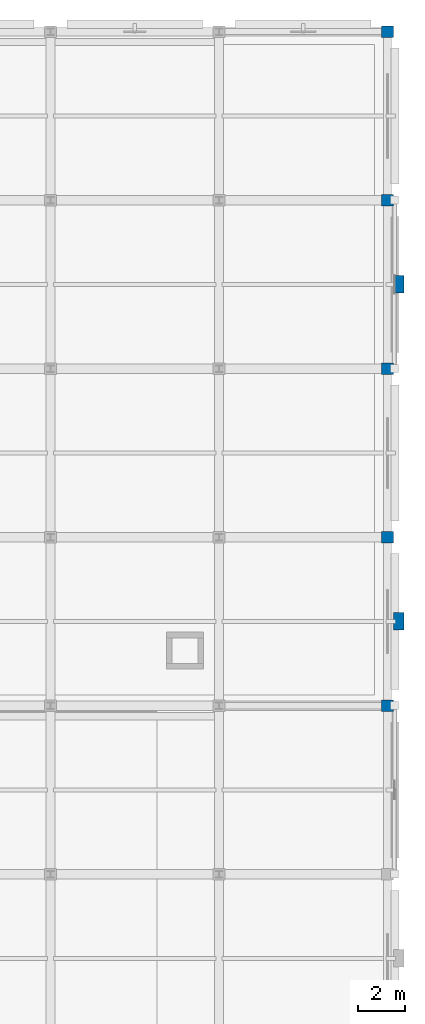
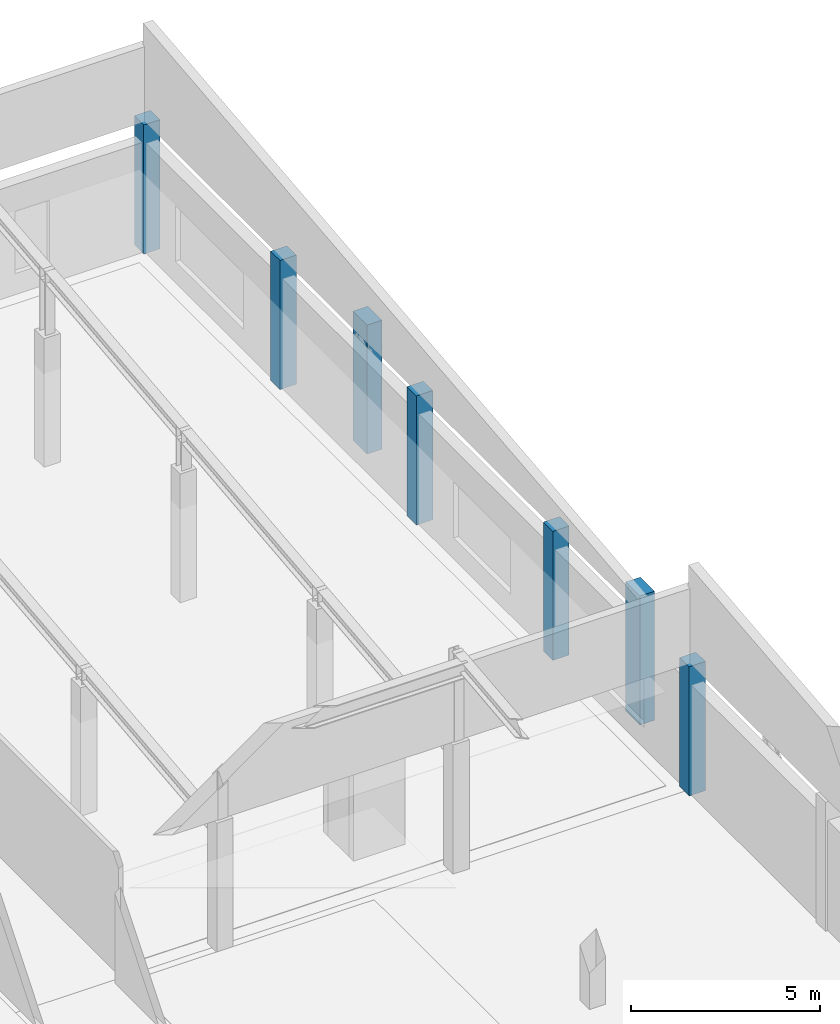
# One storey, part 5 of 33: 7 columns.
"""IFC4 building model written with IfcOpenShell, lengths in metres."""

import ifcopenshell
import ifcopenshell.guid

model = None  # the IFC model being written
_history = None  # IfcOwnerHistory: only IFC2X3 demands one
_inside = {}  # id of a spatial element -> (the spatial element, [elements in it])
_under = {}  # id of a project, library or spatial element -> (it, [spatial elements below it])
_declared = {}  # id of a project -> (the project, [libraries it declares])
_typed = {}  # id of a type object -> (the type object, [elements of that type])
_made_of = {}  # id of a material, layer set ... -> (it, [elements and type objects made of it])


def new_model(schema):
    """Start an empty IFC model of exactly this schema.

    Asked for "IFC4X3", IfcOpenShell would pick the latest addendum, in which some entities
    have other attributes; the version numbers below select the first issue.
    IFC2X3 requires an IfcOwnerHistory on every rooted entity: one is made here for all.
    """
    global model, _history
    if schema == "IFC4X3":
        model = ifcopenshell.file(schema_version=(4, 3, 0, 0))
    else:
        model = ifcopenshell.file(schema=schema)
    _inside.clear()
    _under.clear()
    _declared.clear()
    _typed.clear()
    _made_of.clear()
    _history = None
    if model.schema == "IFC2X3":
        org = make("IfcOrganization", Name="unknown")
        user = make(
            "IfcPersonAndOrganization",
            ThePerson=make("IfcPerson", FamilyName="unknown"),
            TheOrganization=org,
        )
        app = make(
            "IfcApplication",
            ApplicationDeveloper=org,
            Version="unknown",
            ApplicationFullName="unknown",
            ApplicationIdentifier="unknown",
        )
        _history = make(
            "IfcOwnerHistory",
            OwningUser=user,
            OwningApplication=app,
            ChangeAction="ADDED",
            CreationDate=0,
        )
    return model


def make(cls, **values):
    """One entity of the class cls with the attributes given. An attribute that is None is left unset."""
    return model.create_entity(
        cls, **{name: value for name, value in values.items() if value is not None}
    )


def rooted(cls, **values):
    """An entity with a GlobalId (a new one), such as an element, a storey or a relation."""
    return make(cls, GlobalId=ifcopenshell.guid.new(), OwnerHistory=_history, **values)


def si_unit(unit_type, name, prefix=None):
    """IfcSIUnit, for example si_unit("LENGTHUNIT", "METRE", prefix="MILLI")."""
    return make("IfcSIUnit", UnitType=unit_type, Prefix=prefix, Name=name)


def assignment(units):
    """IfcUnitAssignment: the units of a project."""
    return None if units is None else make("IfcUnitAssignment", Units=units)


def point(xyz):
    """IfcCartesianPoint."""
    return None if xyz is None else make("IfcCartesianPoint", Coordinates=xyz)


def direction(xyz):
    """IfcDirection."""
    return None if xyz is None else make("IfcDirection", DirectionRatios=xyz)


def frame(location, z_axis=None, x_axis=None):
    """IfcAxis2Placement3D, a coordinate frame: its origin and axes. An axis left out is left unset."""
    return make(
        "IfcAxis2Placement3D",
        Location=point(location),
        Axis=direction(z_axis),
        RefDirection=direction(x_axis),
    )


def frame_2d(location, x_axis=None):
    """IfcAxis2Placement2D, a coordinate frame in the plane: its origin and x axis."""
    return make(
        "IfcAxis2Placement2D", Location=point(location), RefDirection=direction(x_axis)
    )


def origin():
    """The frame at (0, 0, 0) with its axes left unset."""
    return frame((0.0, 0.0, 0.0))


def origin_2d():
    """The frame at (0, 0) in the plane with its x axis left unset."""
    return frame_2d((0.0, 0.0))


def place(relative_to, where):
    """IfcLocalPlacement: puts the frame where relative to a parent placement (None: the world)."""
    return make(
        "IfcLocalPlacement", PlacementRelTo=relative_to, RelativePlacement=where
    )


def context(
    kind, dimensions, precision=None, world=None, true_north=None, identifier=None
):
    """IfcGeometricRepresentationContext, for example the 3D "Model" context."""
    return make(
        "IfcGeometricRepresentationContext",
        ContextIdentifier=identifier,
        ContextType=kind,
        CoordinateSpaceDimension=dimensions,
        Precision=precision,
        WorldCoordinateSystem=world,
        TrueNorth=true_north,
    )


def subcontext(parent, identifier, kind, view, scale=None):
    """IfcGeometricRepresentationSubContext, for example "Body" below "Model"."""
    return make(
        "IfcGeometricRepresentationSubContext",
        ContextIdentifier=identifier,
        ContextType=kind,
        ParentContext=parent,
        TargetScale=scale,
        TargetView=view,
    )


def project(units=None, contexts=None):
    """IfcProject with its units and contexts."""
    return rooted(
        "IfcProject",
        Name="project",
        RepresentationContexts=contexts,
        UnitsInContext=assignment(units),
    )


def spatial(cls, under=None, at=None, **own):
    """A site, building, storey or space (cls), placed at a placement, below another one or the project."""
    s = rooted(cls, ObjectPlacement=at, **own)
    if under is not None:
        _under.setdefault(under.id(), (under, []))[1].append(s)
    return s


def profile(cls, at=None, kind="AREA", **sizes):
    """A parametric profile (cls). Its sizes go by their IFC names, for example OverallWidth=200.0."""
    return make(cls, ProfileType=kind, Position=at, **sizes)


def rectangle(**sizes):
    """IfcRectangleProfileDef."""
    return profile("IfcRectangleProfileDef", **sizes)


def extrude(swept, where, along, depth):
    """IfcExtrudedAreaSolid: the profile swept, set in the frame where, extruded along a direction by depth."""
    return make(
        "IfcExtrudedAreaSolid",
        SweptArea=swept,
        Position=where,
        ExtrudedDirection=direction(along),
        Depth=depth,
    )


def shape(context_of_items, identifier, shape_type, items):
    """IfcShapeRepresentation: the items that make up one representation, for example the "Body"."""
    return make(
        "IfcShapeRepresentation",
        ContextOfItems=context_of_items,
        RepresentationIdentifier=identifier,
        RepresentationType=shape_type,
        Items=items,
    )


def material(Name=None, Category=None):
    """IfcMaterial."""
    return make("IfcMaterial", Name=Name, Category=Category)


def material_profile(
    of_material, cross_section, Name=None, Category=None, Priority=None
):
    """IfcMaterialProfile: a cross section and its material."""
    return make(
        "IfcMaterialProfile",
        Name=Name,
        Material=of_material,
        Profile=cross_section,
        Priority=Priority,
        Category=Category,
    )


def profile_set(profiles, Name=None, composite=None):
    """IfcMaterialProfileSet."""
    return make(
        "IfcMaterialProfileSet",
        Name=Name,
        MaterialProfiles=profiles,
        CompositeProfile=composite,
    )


def made_of(thing, what):
    """Note that an element or type object is made of a material, layer set ...; save() writes the relation."""
    if what is not None:
        _made_of.setdefault(what.id(), (what, []))[1].append(thing)
    return thing


def type_object(cls, material=None, **own):
    """A type object (cls), such as IfcWallType, which elements share."""
    return made_of(rooted(cls, **own), material)


def element(
    cls,
    number,
    at=None,
    inside=None,
    cuts=None,
    type_object=None,
    material=None,
    context=None,
    identifier="Body",
    shape_type=None,
    held_by="IfcProductDefinitionShape",
    body=None,
    shapes=None,
    **own,
):
    """One element of the class cls, such as IfcWall. Its Tag is "e" and its number.

    at: its placement. inside: the storey or other place that contains it. cuts: it is an
    opening in that element (IfcRelVoidsElement). A single representation is given by context,
    identifier, shape_type and body (its items); several are given by shapes. held_by: the class
    of the entity that holds the representations. save() writes the other relations.
    """
    e = rooted(cls, Tag="e%d" % number, ObjectPlacement=at, **own)
    if body is not None:
        shapes = [shape(context, identifier, shape_type, body)]
    if shapes is not None:
        e.Representation = make(held_by, Representations=shapes)
    if inside is not None:
        _inside.setdefault(inside.id(), (inside, []))[1].append(e)
    if cuts is not None:
        rooted(
            "IfcRelVoidsElement", RelatingBuildingElement=cuts, RelatedOpeningElement=e
        )
    if type_object is not None:
        _typed.setdefault(type_object.id(), (type_object, []))[1].append(e)
    return made_of(e, material)


def aggregate(whole, parts):
    """IfcRelAggregates: a whole, such as a stair, and the parts it consists of."""
    return rooted("IfcRelAggregates", RelatingObject=whole, RelatedObjects=parts)


def save(model, path):
    """Write the relations noted so far, then the file.

    IfcRelAggregates (storeys below a building ...), IfcRelContainedInSpatialStructure (elements
    in a storey), IfcRelDefinesByType, IfcRelAssociatesMaterial and IfcRelDeclares: one each for
    every whole, place, type object, material and project.
    """
    for whole, parts in _under.values():
        aggregate(whole, parts)
    for where, things in _inside.values():
        rooted(
            "IfcRelContainedInSpatialStructure",
            RelatedElements=things,
            RelatingStructure=where,
        )
    for kind, things in _typed.values():
        rooted("IfcRelDefinesByType", RelatedObjects=things, RelatingType=kind)
    for what, things in _made_of.values():
        rooted("IfcRelAssociatesMaterial", RelatedObjects=things, RelatingMaterial=what)
    for by, libraries in _declared.values():
        rooted("IfcRelDeclares", RelatingContext=by, RelatedDefinitions=libraries)
    model.write(path)


model = new_model("IFC4")

# Units and contexts
model_context = context("Model", 3, precision=1e-05, world=origin(), true_north=direction((0.0, 1.0)))
body_context = subcontext(model_context, "Body", "Model", "MODEL_VIEW")
ifc_project = project(units=[si_unit("LENGTHUNIT", "METRE"), si_unit("AREAUNIT", "SQUARE_METRE"), si_unit("VOLUMEUNIT", "CUBIC_METRE"), si_unit("PLANEANGLEUNIT", "RADIAN"), si_unit("MASSUNIT", "GRAM", prefix="KILO")], contexts=[model_context])

# Site, building, storey
site_placement = place(None, origin())
site = spatial("IfcSite", under=ifc_project, at=site_placement, CompositionType="ELEMENT")
building_placement = place(site_placement, origin())
building = spatial("IfcBuilding", under=site, at=building_placement, Name="Valkovuoma Quantum and Materials Research Institute", CompositionType="ELEMENT")
storey_placement = place(building_placement, frame((0.0, 0.0, 25.60009765625)))
storey = spatial("IfcBuildingStorey", under=building, at=storey_placement, Name="L06", CompositionType="ELEMENT", Elevation=25.60009765625)

# Columns
ifc_material_1 = material(Name="Concrete C40/50", Category="concrete")
ifc_material_profile_1 = material_profile(ifc_material_1, rectangle(XDim=0.449951171875, YDim=0.75, at=origin_2d()), Name="Concrete C40/50")
ifc_profile_set_1 = profile_set([ifc_material_profile_1], Name="Concrete C40/50")
column_type_1 = type_object("IfcColumnType", Name="Col-C-PIL750", PredefinedType="PILASTER", material=ifc_profile_set_1)
for number, where, z_axis, x_axis, name in (
    (1, (166.080078125, 90.0, 0.0), (0.0, 0.0, 1.0), (1.0, 0.0, 0.0), "L06 service spine pilaster 04"),
    (2, (166.080078125, 104.39990234375, 0.0), (0.0, 0.0, 1.0), (1.0, 0.0, 0.0), "L06 service spine pilaster 05"),
):
    element("IfcColumn", number, at=place(storey_placement, frame(where, z_axis=z_axis, x_axis=x_axis)), inside=storey, type_object=column_type_1, Name=name, PredefinedType="PILASTER", context=body_context, shape_type="SweptSolid", body=[
        extrude(rectangle(XDim=0.449951171875, YDim=0.75, at=origin_2d()), origin(), (0.0, 0.0, 1.0), 4.159912109375),
    ])
ifc_material_2 = material(Name="Concrete C40/50", Category="concrete")
ifc_material_profile_2 = material_profile(ifc_material_2, rectangle(XDim=0.5, YDim=0.5, at=origin_2d()), Name="Concrete C40/50")
ifc_profile_set_2 = profile_set([ifc_material_profile_2], Name="Concrete C40/50")
column_type_2 = type_object("IfcColumnType", Name="Col-C-RC500", PredefinedType="COLUMN", material=ifc_profile_set_2)
for number, where, z_axis, x_axis, name in (
    (3, (165.60009765625, 86.39990234375, 0.0), (0.0, 0.0, 1.0), (1.0, 0.0, 0.0), "L06 column 24N"),
    (4, (165.60009765625, 93.60009765625, 0.0), (0.0, 0.0, 1.0), (1.0, 0.0, 0.0), "L06 column 24P"),
    (5, (165.60009765625, 100.800048828125, 0.0), (0.0, 0.0, 1.0), (1.0, 0.0, 0.0), "L06 column 24Q"),
    (6, (165.60009765625, 108.0, 0.0), (0.0, 0.0, 1.0), (1.0, 0.0, 0.0), "L06 column 24R"),
    (7, (165.60009765625, 115.199951171875, 0.0), (0.0, 0.0, 1.0), (1.0, 0.0, 0.0), "L06 column 24S"),
):
    element("IfcColumn", number, at=place(storey_placement, frame(where, z_axis=z_axis, x_axis=x_axis)), inside=storey, type_object=column_type_2, Name=name, PredefinedType="COLUMN", context=body_context, shape_type="SweptSolid", body=[
        extrude(rectangle(XDim=0.5, YDim=0.5, at=origin_2d()), origin(), (0.0, 0.0, 1.0), 4.159912109375),
    ])

save(model, "model.ifc")
